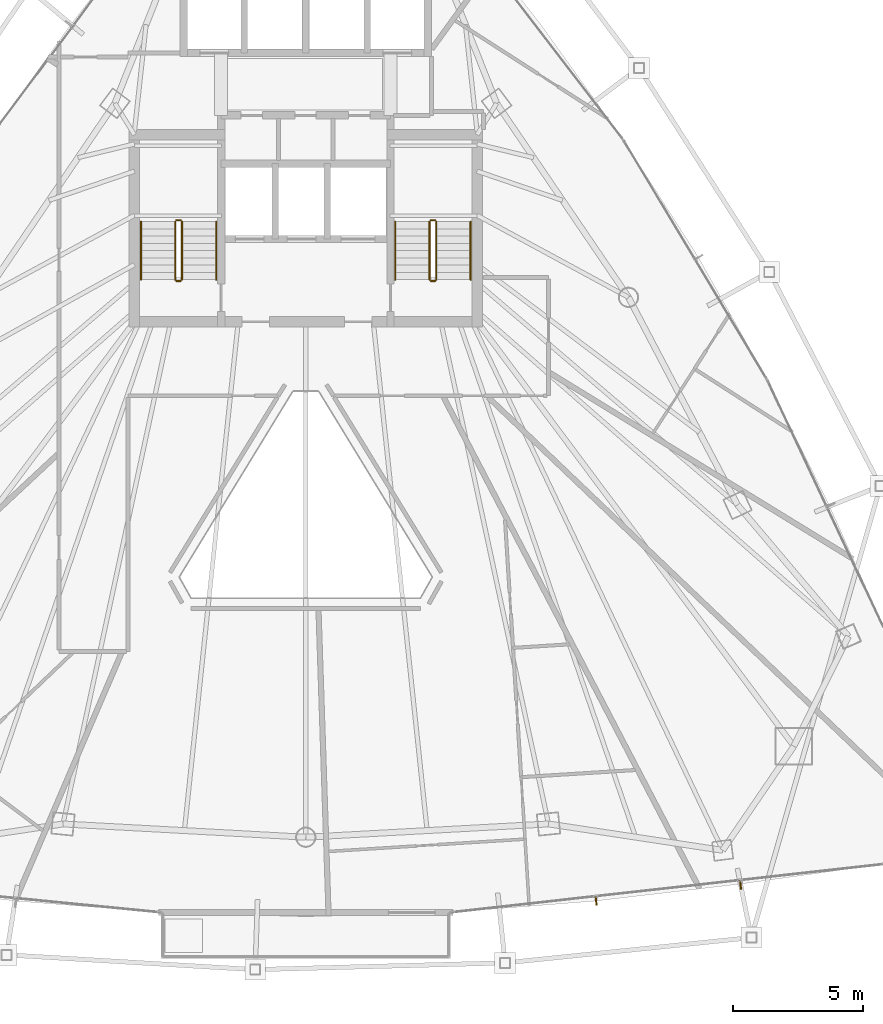
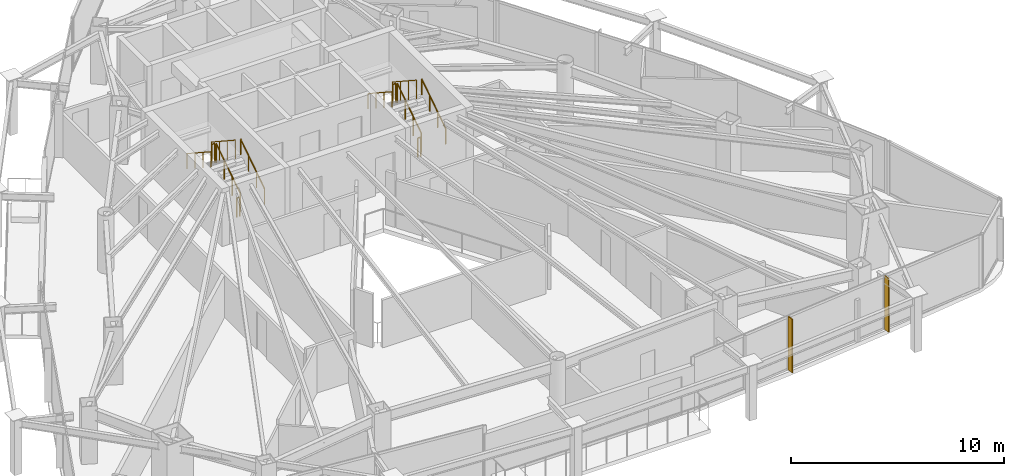
# One storey, part 28 of 29: 12 railings, 2 shading devices.
"""IFC4 building model written with IfcOpenShell, lengths in metres."""

from ifc_helpers import new_model, si_unit, direction, frame, origin, origin_2d, place, context, subcontext, project, spatial, rectangle, circle, extrude, material, layer, layer_set, type_object, element, save


model = new_model("IFC4")

# Units and contexts
model_context = context("Model", 3, precision=1e-05, world=origin(), true_north=direction((0.0, 1.0)))
body_context = subcontext(model_context, "Body", "Model", "MODEL_VIEW")
ifc_project = project(units=[si_unit("LENGTHUNIT", "METRE"), si_unit("AREAUNIT", "SQUARE_METRE"), si_unit("VOLUMEUNIT", "CUBIC_METRE"), si_unit("PLANEANGLEUNIT", "RADIAN"), si_unit("MASSUNIT", "GRAM", prefix="KILO")], contexts=[model_context])

# Site, building, storey
site_placement = place(None, origin())
site = spatial("IfcSite", under=ifc_project, at=site_placement, CompositionType="ELEMENT")
building_placement = place(site_placement, origin())
building = spatial("IfcBuilding", under=site, at=building_placement, Name="Orvanel Arch Residences", CompositionType="ELEMENT")
storey_placement = place(building_placement, frame((0.0, 0.0, 177.050048828125)))
storey = spatial("IfcBuildingStorey", under=building, at=storey_placement, Name="L50", CompositionType="ELEMENT", Elevation=177.050048828125)

# Shading devices
ifc_material_1 = material(Name="Bronze-anodised aluminium AA6063-T6", Category="aluminium")
ifc_layer = layer(ifc_material_1, 0.054931640625)
ifc_layer_set = layer_set([ifc_layer], Name="Bronze-anodised aluminium AA6063-T6")
shading_device_type = type_object("IfcShadingDeviceType", Name="FIN-BRZ-320", PredefinedType="USERDEFINED", material=ifc_layer_set)
for number, where, z_axis, x_axis, name in (
    (1, (44.18408203125, 4.382080078125, 0.0), (0.0, 0.0, 1.0), (0.111468932206, -0.993767919161, 0.0), "L50 Anodised Bronze Mullion FIN 01"),
    (2, (49.7490234375, 5.001953125, 0.0), (0.0, 0.0, 1.0), (0.111468932206, -0.993767919161, 0.0), "L50 Anodised Bronze Mullion FIN 02"),
):
    element("IfcShadingDevice", number, at=place(storey_placement, frame(where, z_axis=z_axis, x_axis=x_axis)), inside=storey, type_object=shading_device_type, Name=name, ObjectType="FIN", PredefinedType="USERDEFINED", context=body_context, shape_type="SweptSolid", body=[
        extrude(rectangle(XDim=0.320068359375, YDim=0.054931640625, at=origin_2d()), origin(), (0.0, 0.0, 1.0), 3.06005859375),
    ])

# Railings
ifc_material_2 = material(Name="Structural steel AS/NZS 1163 C350L0 (Grade 350)", Category="steel")
railing_type_1 = type_object("IfcRailingType", Name="RL-STAIR-GUARD", PredefinedType="GUARDRAIL", material=ifc_material_2)
railing_1_placement = place(storey_placement, frame((28.22998046875, 28.320068359375, 0.183349609375)))
element("IfcRailing", 3, at=railing_1_placement, inside=storey, type_object=railing_type_1, Name="L50 ST-1 stair guard 1", PredefinedType="GUARDRAIL", context=body_context, shape_type="SweptSolid", body=[
    extrude(circle(Radius=0.02392578125, at=origin_2d()), frame((0.0, 0.001220703125, 1.076904296875), z_axis=(0.0, 0.836636935527, 0.547757827979), x_axis=(-1.0, 0.0, 0.0)), (0.0, 0.0, 1.0), 2.67431640625),
    extrude(circle(Radius=0.02099609375, at=origin_2d()), origin(), (0.0, 0.0, 1.0), 1.050048828125),
    extrude(circle(Radius=0.02099609375, at=origin_2d()), frame((0.0, 0.74658203125, 0.48876953125)), (0.0, 0.0, 1.0), 1.050048828125),
    extrude(circle(Radius=0.02099609375, at=origin_2d()), frame((0.0, 1.493408203125, 0.977783203125)), (0.0, 0.0, 1.0), 1.050048828125),
    extrude(circle(Radius=0.02099609375, at=origin_2d()), frame((0.0, 2.239990234375, 1.466552734375)), (0.0, 0.0, 1.0), 1.050048828125),
])
railing_2_placement = place(storey_placement, frame((28.179931640625, 30.610107421875, 1.64990234375)))
element("IfcRailing", 4, at=railing_2_placement, inside=storey, type_object=railing_type_1, Name="L50 ST-1 stair guard 2", PredefinedType="GUARDRAIL", context=body_context, shape_type="SweptSolid", body=[
    extrude(circle(Radius=0.02392578125, at=origin_2d()), frame((-0.00146484375, 0.0, 1.076171875), z_axis=(-1.0, 0.0, 0.0), x_axis=(0.0, -1.0, 0.0)), (0.0, 0.0, 1.0), 0.156982421875),
    extrude(circle(Radius=0.02099609375, at=origin_2d()), origin(), (0.0, 0.0, 1.0), 1.050048828125),
    extrude(circle(Radius=0.02099609375, at=origin_2d()), frame((-0.159912109375, 0.0, 0.0)), (0.0, 0.0, 1.0), 1.050048828125),
])
railing_3_placement = place(storey_placement, frame((27.969970703125, 30.56005859375, 1.833251953125)))
element("IfcRailing", 5, at=railing_3_placement, inside=storey, type_object=railing_type_1, Name="L50 ST-1 stair guard 3", PredefinedType="GUARDRAIL", context=body_context, shape_type="SweptSolid", body=[
    extrude(circle(Radius=0.02392578125, at=origin_2d()), frame((0.0, -0.001220703125, 1.076904296875), z_axis=(0.0, -0.836595146698, 0.547821650285), x_axis=(1.0, 0.0, 0.0)), (0.0, 0.0, 1.0), 2.674560546875),
    extrude(circle(Radius=0.02099609375, at=origin_2d()), origin(), (0.0, 0.0, 1.0), 1.050048828125),
    extrude(circle(Radius=0.02099609375, at=origin_2d()), frame((0.0, -0.74658203125, 0.489013671875)), (0.0, 0.0, 1.0), 1.050048828125),
    extrude(circle(Radius=0.02099609375, at=origin_2d()), frame((0.0, -1.493408203125, 0.977783203125)), (0.0, 0.0, 1.0), 1.050048828125),
    extrude(circle(Radius=0.02099609375, at=origin_2d()), frame((0.0, -2.239990234375, 1.466796875)), (0.0, 0.0, 1.0), 1.050048828125),
])
railing_4_placement = place(storey_placement, frame((28.179931640625, 28.27001953125, 0.0)))
element("IfcRailing", 6, at=railing_4_placement, inside=storey, type_object=railing_type_1, Name="L50 ST-1 stair guard 4", PredefinedType="GUARDRAIL", context=body_context, shape_type="SweptSolid", body=[
    extrude(circle(Radius=0.02392578125, at=origin_2d()), frame((-0.00146484375, 0.0, 1.076171875), z_axis=(-1.0, 0.0, 0.0), x_axis=(0.0, -1.0, 0.0)), (0.0, 0.0, 1.0), 0.156982421875),
    extrude(circle(Radius=0.02099609375, at=origin_2d()), origin(), (0.0, 0.0, 1.0), 1.050048828125),
    extrude(circle(Radius=0.02099609375, at=origin_2d()), frame((-0.159912109375, 0.0, 0.0)), (0.0, 0.0, 1.0), 1.050048828125),
])
railing_5_placement = place(storey_placement, frame((38.030029296875, 28.320068359375, 0.183349609375)))
element("IfcRailing", 7, at=railing_5_placement, inside=storey, type_object=railing_type_1, Name="L50 ST-2 stair guard 1", PredefinedType="GUARDRAIL", context=body_context, shape_type="SweptSolid", body=[
    extrude(circle(Radius=0.02392578125, at=origin_2d()), frame((0.0, 0.001220703125, 1.076904296875), z_axis=(0.0, 0.836636935527, 0.547757827979), x_axis=(-1.0, 0.0, 0.0)), (0.0, 0.0, 1.0), 2.67431640625),
    extrude(circle(Radius=0.02099609375, at=origin_2d()), origin(), (0.0, 0.0, 1.0), 1.050048828125),
    extrude(circle(Radius=0.02099609375, at=origin_2d()), frame((0.0, 0.74658203125, 0.48876953125)), (0.0, 0.0, 1.0), 1.050048828125),
    extrude(circle(Radius=0.02099609375, at=origin_2d()), frame((0.0, 1.493408203125, 0.977783203125)), (0.0, 0.0, 1.0), 1.050048828125),
    extrude(circle(Radius=0.02099609375, at=origin_2d()), frame((0.0, 2.239990234375, 1.466552734375)), (0.0, 0.0, 1.0), 1.050048828125),
])
railing_6_placement = place(storey_placement, frame((37.97998046875, 30.610107421875, 1.64990234375)))
element("IfcRailing", 8, at=railing_6_placement, inside=storey, type_object=railing_type_1, Name="L50 ST-2 stair guard 2", PredefinedType="GUARDRAIL", context=body_context, shape_type="SweptSolid", body=[
    extrude(circle(Radius=0.02392578125, at=origin_2d()), frame((-0.00146484375, 0.0, 1.076171875), z_axis=(-1.0, 0.0, 0.0), x_axis=(0.0, -1.0, 0.0)), (0.0, 0.0, 1.0), 0.156982421875),
    extrude(circle(Radius=0.02099609375, at=origin_2d()), origin(), (0.0, 0.0, 1.0), 1.050048828125),
    extrude(circle(Radius=0.02099609375, at=origin_2d()), frame((-0.159912109375, 0.0, 0.0)), (0.0, 0.0, 1.0), 1.050048828125),
])
railing_7_placement = place(storey_placement, frame((37.77001953125, 30.56005859375, 1.833251953125)))
element("IfcRailing", 9, at=railing_7_placement, inside=storey, type_object=railing_type_1, Name="L50 ST-2 stair guard 3", PredefinedType="GUARDRAIL", context=body_context, shape_type="SweptSolid", body=[
    extrude(circle(Radius=0.02392578125, at=origin_2d()), frame((0.0, -0.001220703125, 1.076904296875), z_axis=(0.0, -0.836595146698, 0.547821650285), x_axis=(1.0, 0.0, 0.0)), (0.0, 0.0, 1.0), 2.674560546875),
    extrude(circle(Radius=0.02099609375, at=origin_2d()), origin(), (0.0, 0.0, 1.0), 1.050048828125),
    extrude(circle(Radius=0.02099609375, at=origin_2d()), frame((0.0, -0.74658203125, 0.489013671875)), (0.0, 0.0, 1.0), 1.050048828125),
    extrude(circle(Radius=0.02099609375, at=origin_2d()), frame((0.0, -1.493408203125, 0.977783203125)), (0.0, 0.0, 1.0), 1.050048828125),
    extrude(circle(Radius=0.02099609375, at=origin_2d()), frame((0.0, -2.239990234375, 1.466796875)), (0.0, 0.0, 1.0), 1.050048828125),
])
railing_8_placement = place(storey_placement, frame((37.97998046875, 28.27001953125, 0.0)))
element("IfcRailing", 10, at=railing_8_placement, inside=storey, type_object=railing_type_1, Name="L50 ST-2 stair guard 4", PredefinedType="GUARDRAIL", context=body_context, shape_type="SweptSolid", body=[
    extrude(circle(Radius=0.02392578125, at=origin_2d()), frame((-0.00146484375, 0.0, 1.076171875), z_axis=(-1.0, 0.0, 0.0), x_axis=(0.0, -1.0, 0.0)), (0.0, 0.0, 1.0), 0.156982421875),
    extrude(circle(Radius=0.02099609375, at=origin_2d()), origin(), (0.0, 0.0, 1.0), 1.050048828125),
    extrude(circle(Radius=0.02099609375, at=origin_2d()), frame((-0.159912109375, 0.0, 0.0)), (0.0, 0.0, 1.0), 1.050048828125),
])
railing_type_2 = type_object("IfcRailingType", Name="RL-STAIR-HAND", PredefinedType="HANDRAIL", material=ifc_material_2)
railing_9_placement = place(storey_placement, frame((29.550048828125, 28.320068359375, 0.183349609375)))
element("IfcRailing", 11, at=railing_9_placement, inside=storey, type_object=railing_type_2, Name="L50 ST-1 stair handrail 1", PredefinedType="HANDRAIL", context=body_context, shape_type="SweptSolid", body=[
    extrude(circle(Radius=0.02392578125, at=origin_2d()), frame((0.0, 0.001220703125, 0.876708984375), z_axis=(0.0, 0.836636935527, 0.547757827979), x_axis=(-1.0, 0.0, 0.0)), (0.0, 0.0, 1.0), 2.67431640625),
    extrude(circle(Radius=0.02099609375, at=origin_2d()), origin(), (0.0, 0.0, 1.0), 0.849853515625),
    extrude(circle(Radius=0.02099609375, at=origin_2d()), frame((0.0, 0.74658203125, 0.48876953125)), (0.0, 0.0, 1.0), 0.849853515625),
    extrude(circle(Radius=0.02099609375, at=origin_2d()), frame((0.0, 1.493408203125, 0.977783203125)), (0.0, 0.0, 1.0), 0.849853515625),
    extrude(circle(Radius=0.02099609375, at=origin_2d()), frame((0.0, 2.239990234375, 1.466552734375)), (0.0, 0.0, 1.0), 0.849853515625),
])
railing_10_placement = place(storey_placement, frame((26.64990234375, 30.56005859375, 1.833251953125)))
element("IfcRailing", 12, at=railing_10_placement, inside=storey, type_object=railing_type_2, Name="L50 ST-1 stair handrail 2", PredefinedType="HANDRAIL", context=body_context, shape_type="SweptSolid", body=[
    extrude(circle(Radius=0.02392578125, at=origin_2d()), frame((0.0, -0.001220703125, 0.876708984375), z_axis=(0.0, -0.836595146698, 0.547821650285), x_axis=(1.0, 0.0, 0.0)), (0.0, 0.0, 1.0), 2.674560546875),
    extrude(circle(Radius=0.02099609375, at=origin_2d()), origin(), (0.0, 0.0, 1.0), 0.849853515625),
    extrude(circle(Radius=0.02099609375, at=origin_2d()), frame((0.0, -0.74658203125, 0.489013671875)), (0.0, 0.0, 1.0), 0.849853515625),
    extrude(circle(Radius=0.02099609375, at=origin_2d()), frame((0.0, -1.493408203125, 0.977783203125)), (0.0, 0.0, 1.0), 0.849853515625),
    extrude(circle(Radius=0.02099609375, at=origin_2d()), frame((0.0, -2.239990234375, 1.466796875)), (0.0, 0.0, 1.0), 0.849853515625),
])
railing_11_placement = place(storey_placement, frame((39.35009765625, 28.320068359375, 0.183349609375)))
element("IfcRailing", 13, at=railing_11_placement, inside=storey, type_object=railing_type_2, Name="L50 ST-2 stair handrail 1", PredefinedType="HANDRAIL", context=body_context, shape_type="SweptSolid", body=[
    extrude(circle(Radius=0.02392578125, at=origin_2d()), frame((0.0, 0.001220703125, 0.876708984375), z_axis=(0.0, 0.836636935527, 0.547757827979), x_axis=(-1.0, 0.0, 0.0)), (0.0, 0.0, 1.0), 2.67431640625),
    extrude(circle(Radius=0.02099609375, at=origin_2d()), origin(), (0.0, 0.0, 1.0), 0.849853515625),
    extrude(circle(Radius=0.02099609375, at=origin_2d()), frame((0.0, 0.74658203125, 0.48876953125)), (0.0, 0.0, 1.0), 0.849853515625),
    extrude(circle(Radius=0.02099609375, at=origin_2d()), frame((0.0, 1.493408203125, 0.977783203125)), (0.0, 0.0, 1.0), 0.849853515625),
    extrude(circle(Radius=0.02099609375, at=origin_2d()), frame((0.0, 2.239990234375, 1.466552734375)), (0.0, 0.0, 1.0), 0.849853515625),
])
railing_12_placement = place(storey_placement, frame((36.449951171875, 30.56005859375, 1.833251953125)))
element("IfcRailing", 14, at=railing_12_placement, inside=storey, type_object=railing_type_2, Name="L50 ST-2 stair handrail 2", PredefinedType="HANDRAIL", context=body_context, shape_type="SweptSolid", body=[
    extrude(circle(Radius=0.02392578125, at=origin_2d()), frame((0.0, -0.001220703125, 0.876708984375), z_axis=(0.0, -0.836595146698, 0.547821650285), x_axis=(1.0, 0.0, 0.0)), (0.0, 0.0, 1.0), 2.674560546875),
    extrude(circle(Radius=0.02099609375, at=origin_2d()), origin(), (0.0, 0.0, 1.0), 0.849853515625),
    extrude(circle(Radius=0.02099609375, at=origin_2d()), frame((0.0, -0.74658203125, 0.489013671875)), (0.0, 0.0, 1.0), 0.849853515625),
    extrude(circle(Radius=0.02099609375, at=origin_2d()), frame((0.0, -1.493408203125, 0.977783203125)), (0.0, 0.0, 1.0), 0.849853515625),
    extrude(circle(Radius=0.02099609375, at=origin_2d()), frame((0.0, -2.239990234375, 1.466796875)), (0.0, 0.0, 1.0), 0.849853515625),
])

save(model, "model.ifc")
